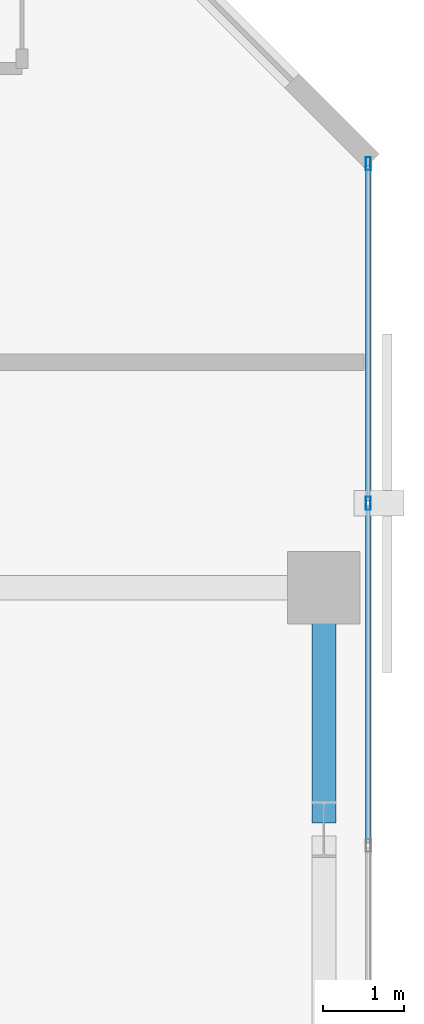
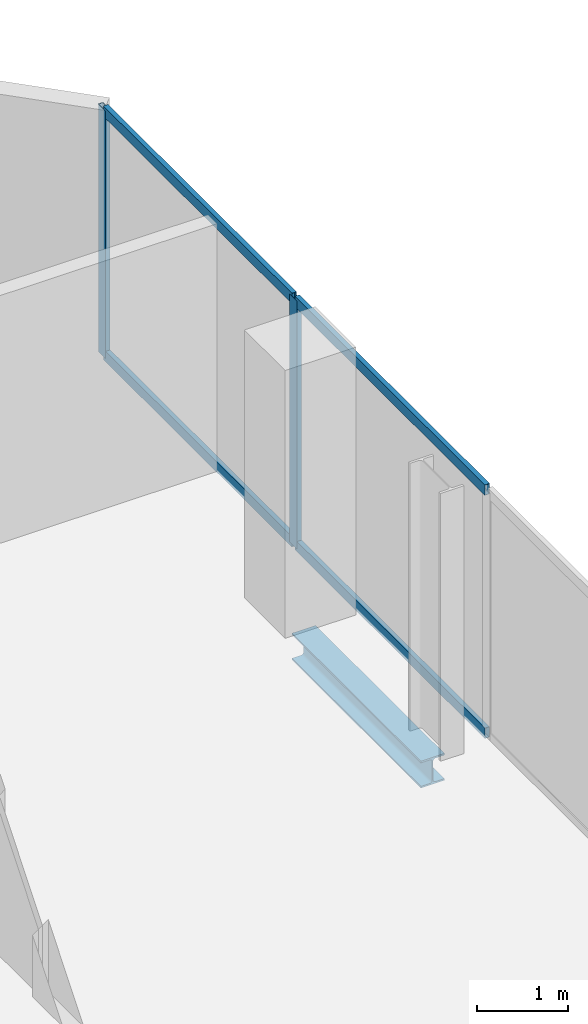
# One storey, part 26 of 33: 6 members, 1 beam, 1 element without a shape of its own.
"""IFC4 building model written with IfcOpenShell, lengths in metres."""

from ifc_helpers import new_model, si_unit, direction, frame, origin, origin_2d, place, context, subcontext, project, spatial, hollow_rectangle, i_section, extrude, material, layer, layer_set, material_profile, profile_set, type_object, element, aggregate, save


model = new_model("IFC4")

# Units and contexts
model_context = context("Model", 3, precision=1e-05, world=origin(), true_north=direction((0.0, 1.0)))
body_context = subcontext(model_context, "Body", "Model", "MODEL_VIEW")
ifc_project = project(units=[si_unit("LENGTHUNIT", "METRE"), si_unit("AREAUNIT", "SQUARE_METRE"), si_unit("VOLUMEUNIT", "CUBIC_METRE"), si_unit("PLANEANGLEUNIT", "RADIAN"), si_unit("MASSUNIT", "GRAM", prefix="KILO")], contexts=[model_context])

# Site, building, storey
site_placement = place(None, origin())
site = spatial("IfcSite", under=ifc_project, at=site_placement, CompositionType="ELEMENT")
building_placement = place(site_placement, origin())
building = spatial("IfcBuilding", under=site, at=building_placement, Name="Catumbela Crestline Tower", CompositionType="ELEMENT")
storey_placement = place(building_placement, frame((0.0, 0.0, 108.0)))
storey = spatial("IfcBuildingStorey", under=building, at=storey_placement, Name="L27", CompositionType="ELEMENT", Elevation=108.0)

# Curtain wall, members
ifc_material_1 = material(Name="Aluminium alloy AW-6060-T66", Category="aluminium")
ifc_layer = layer(ifc_material_1, 0.18, Name="Aluminium alloy AW-6060-T66")
ifc_layer_set = layer_set([ifc_layer], Name="Aluminium alloy AW-6060-T66")
curtain_wall_type = type_object("IfcCurtainWallType", Name="CWU-Z2", PredefinedType="USERDEFINED", material=ifc_layer_set)
curtain_wall_placement = place(storey_placement, origin())
curtain_wall = element("IfcCurtainWall", 1, at=curtain_wall_placement, inside=storey, type_object=curtain_wall_type, Name="L27 Unitised Curtain Wall CW-L27-E5S1", ObjectType="UNITISED", PredefinedType="USERDEFINED")
ifc_material_profile_1 = material_profile(ifc_material_1, hollow_rectangle(XDim=0.06, YDim=0.16, WallThickness=0.004, at=origin_2d()), Name="ALU 160x60x4")
ifc_profile_set_1 = profile_set([ifc_material_profile_1], Name="Aluminium alloy AW-6060-T66")
member_type_1 = type_object("IfcMemberType", Name="MUL-160X60", PredefinedType="MULLION", material=ifc_profile_set_1)
member_1_placement = place(storey_placement, frame((50.95, 40.25, 0.0), z_axis=(0.0, 0.0, 1.0), x_axis=(-1.0, 0.0, 0.0)))
member_1 = element("IfcMember", 2, at=member_1_placement, type_object=member_type_1, Name="CWU-Z2 mullion 4", PredefinedType="MULLION", context=body_context, shape_type="SweptSolid", body=[
    extrude(hollow_rectangle(XDim=0.06, YDim=0.16, WallThickness=0.004, at=origin_2d()), origin(), (0.0, 0.0, 1.0), 3.33),
])
member_2_placement = place(storey_placement, frame((50.95, 44.4675, 0.0), z_axis=(0.0, 0.0, 1.0), x_axis=(-1.0, 0.0, 0.0)))
member_2 = element("IfcMember", 3, at=member_2_placement, type_object=member_type_1, Name="CWU-Z2 mullion 5", PredefinedType="MULLION", context=body_context, shape_type="SweptSolid", body=[
    extrude(hollow_rectangle(XDim=0.06, YDim=0.16, WallThickness=0.004, at=origin_2d()), origin(), (0.0, 0.0, 1.0), 3.33),
])

# Beam
ifc_material_2 = material(Name="Structural steel S355J2", Category="steel")
ifc_material_profile_2 = material_profile(ifc_material_2, i_section(OverallWidth=0.3, OverallDepth=0.36, WebThickness=0.0125, FlangeThickness=0.0225, FilletRadius=0.027, at=origin_2d()), Name="HEB 360")
ifc_profile_set_2 = profile_set([ifc_material_profile_2], Name="Structural steel S355J2")
beam_type = type_object("IfcBeamType", Name="BS-HEB360", PredefinedType="SPANDREL", material=ifc_profile_set_2)
beam_placement = place(storey_placement, frame((50.4, 36.28, -0.44), z_axis=(0.0, 1.0, 0.0), x_axis=(-1.0, 0.0, 0.0)))
element("IfcBeam", 4, at=beam_placement, inside=storey, type_object=beam_type, Name="L27 Spandrel SP-L27-SN36", PredefinedType="SPANDREL", context=body_context, shape_type="SweptSolid", body=[
    extrude(i_section(OverallWidth=0.3, OverallDepth=0.36, WebThickness=0.0125, FlangeThickness=0.0225, FilletRadius=0.027, at=origin_2d()), origin(), (0.0, 0.0, 1.0), 2.84),
])

# Member
ifc_material_profile_3 = material_profile(ifc_material_1, hollow_rectangle(XDim=0.06, YDim=0.14, WallThickness=0.004, at=origin_2d()), Name="ALU 140x60x4")
ifc_profile_set_3 = profile_set([ifc_material_profile_3], Name="Aluminium alloy AW-6060-T66")
member_type_2 = type_object("IfcMemberType", Name="TRN-140X60", PredefinedType="USERDEFINED", material=ifc_profile_set_3)
member_3_placement = place(storey_placement, frame((50.95, 36.0325, 0.03), z_axis=(0.0, 1.0, 0.0), x_axis=(-1.0, 0.0, 0.0)))
member_3 = element("IfcMember", 5, at=member_3_placement, type_object=member_type_2, Name="CWU-Z2 transom 3.1", ObjectType="TRANSOM", PredefinedType="USERDEFINED", context=body_context, shape_type="SweptSolid", body=[
    extrude(hollow_rectangle(XDim=0.06, YDim=0.14, WallThickness=0.004, at=origin_2d()), origin(), (0.0, 0.0, 1.0), 4.185),
])

member_4_placement = place(storey_placement, frame((50.95, 36.0325, 3.3), z_axis=(0.0, 1.0, 0.0), x_axis=(-1.0, 0.0, 0.0)))
member_4 = element("IfcMember", 6, at=member_4_placement, type_object=member_type_2, Name="CWU-Z2 transom 3.2", ObjectType="TRANSOM", PredefinedType="USERDEFINED", context=body_context, shape_type="SweptSolid", body=[
    extrude(hollow_rectangle(XDim=0.06, YDim=0.14, WallThickness=0.004, at=origin_2d()), origin(), (0.0, 0.0, 1.0), 4.185),
])

member_5_placement = place(storey_placement, frame((50.95, 40.2825, 0.03), z_axis=(0.0, 1.0, 0.0), x_axis=(-1.0, 0.0, 0.0)))
member_5 = element("IfcMember", 7, at=member_5_placement, type_object=member_type_2, Name="CWU-Z2 transom 4.1", ObjectType="TRANSOM", PredefinedType="USERDEFINED", context=body_context, shape_type="SweptSolid", body=[
    extrude(hollow_rectangle(XDim=0.06, YDim=0.14, WallThickness=0.004, at=origin_2d()), origin(), (0.0, 0.0, 1.0), 4.1525),
])

member_6_placement = place(storey_placement, frame((50.95, 40.2825, 3.3), z_axis=(0.0, 1.0, 0.0), x_axis=(-1.0, 0.0, 0.0)))
member_6 = element("IfcMember", 8, at=member_6_placement, type_object=member_type_2, Name="CWU-Z2 transom 4.2", ObjectType="TRANSOM", PredefinedType="USERDEFINED", context=body_context, shape_type="SweptSolid", body=[
    extrude(hollow_rectangle(XDim=0.06, YDim=0.14, WallThickness=0.004, at=origin_2d()), origin(), (0.0, 0.0, 1.0), 4.1525),
])

aggregate(curtain_wall, [member_1, member_2, member_3, member_4, member_5, member_6])

save(model, "model.ifc")
